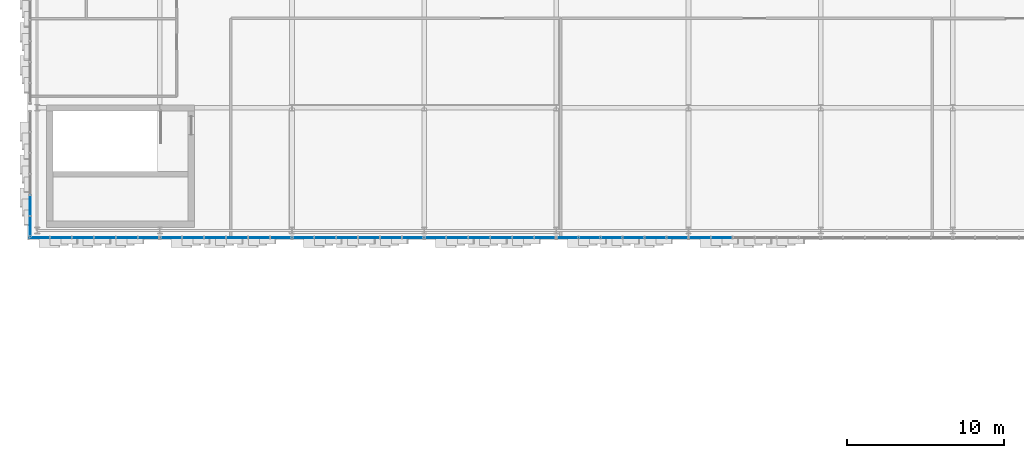
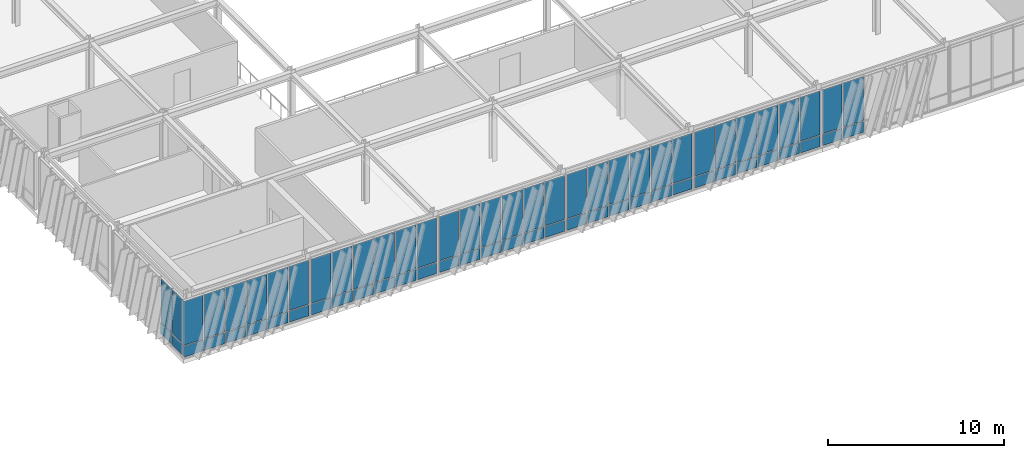
# One storey, part 86 of 123: 68 plates, 7 elements without a shape of their own.
"""IFC4 building model written with IfcOpenShell, lengths in metres."""

from ifc_helpers import new_model, si_unit, direction, frame, origin, origin_2d, place, context, subcontext, project, spatial, rectangle, extrude, material, layer, layer_set, type_object, element, aggregate, save


model = new_model("IFC4")

# Units and contexts
model_context = context("Model", 3, precision=1e-05, world=origin(), true_north=direction((0.0, 1.0)))
body_context = subcontext(model_context, "Body", "Model", "MODEL_VIEW")
ifc_project = project(units=[si_unit("LENGTHUNIT", "METRE"), si_unit("AREAUNIT", "SQUARE_METRE"), si_unit("VOLUMEUNIT", "CUBIC_METRE"), si_unit("PLANEANGLEUNIT", "RADIAN"), si_unit("MASSUNIT", "GRAM", prefix="KILO")], contexts=[model_context])

# Site, building, storey
site_placement = place(None, origin())
site = spatial("IfcSite", under=ifc_project, at=site_placement, CompositionType="ELEMENT")
building_placement = place(site_placement, origin())
building = spatial("IfcBuilding", under=site, at=building_placement, Name="Zayran Congress Hotel", CompositionType="ELEMENT")
storey_placement = place(building_placement, frame((0.0, 0.0, 15.0)))
storey = spatial("IfcBuildingStorey", under=building, at=storey_placement, Name="L03", CompositionType="ELEMENT", Elevation=15.0)

# Curtain wall, plates
ifc_material_1 = material(Name="Anodised aluminium and low-E insulated glass", Category="aluminium")
ifc_layer_1 = layer(ifc_material_1, 0.179931640625)
ifc_layer_set_1 = layer_set([ifc_layer_1], Name="Anodised aluminium and low-E insulated glass")
curtain_wall_type_1 = type_object("IfcCurtainWallType", Name="CW-V1S-L03-CW-11-8380-3980", PredefinedType="USERDEFINED", material=ifc_layer_set_1)
curtain_wall_1_placement = place(storey_placement, origin())
curtain_wall_1 = element("IfcCurtainWall", 1, at=curtain_wall_1_placement, inside=storey, type_object=curtain_wall_type_1, Name="CW-V1S-L03-0", ObjectType="CURTAIN WALL", PredefinedType="USERDEFINED")
ifc_material_2 = material(Name="Insulated warm bronze aluminium spandrel panel", Category="aluminium")
ifc_layer_2 = layer(ifc_material_2, 0.06005859375)
ifc_layer_set_2 = layer_set([ifc_layer_2], Name="Insulated warm bronze aluminium spandrel panel")
plate_type_1 = type_object("IfcPlateType", Name="CWP-SP-1277-750", PredefinedType="CURTAIN_PANEL", material=ifc_layer_set_2)
plate_1_placement = place(storey_placement, frame((9.12841796875, 67.75, 0.06005859375), z_axis=(0.0, 0.0, 1.0), x_axis=(1.0, 0.0, 0.0)))
plate_1 = element("IfcPlate", 2, at=plate_1_placement, type_object=plate_type_1, Name="CW-11 Spandrel Panel 1", PredefinedType="CURTAIN_PANEL", context=body_context, shape_type="SweptSolid", body=[
    extrude(rectangle(XDim=1.276611328125, YDim=0.06005859375, at=origin_2d()), origin(), (0.0, 0.0, 1.0), 0.75),
])
plate_2_placement = place(storey_placement, frame((10.5048828125, 67.75, 0.06005859375), z_axis=(0.0, 0.0, 1.0), x_axis=(1.0, 0.0, 0.0)))
plate_2 = element("IfcPlate", 3, at=plate_2_placement, type_object=plate_type_1, Name="CW-11 Spandrel Panel 2", PredefinedType="CURTAIN_PANEL", context=body_context, shape_type="SweptSolid", body=[
    extrude(rectangle(XDim=1.316650390625, YDim=0.06005859375, at=origin_2d()), origin(), (0.0, 0.0, 1.0), 0.75),
])
plate_3_placement = place(storey_placement, frame((11.901611328125, 67.75, 0.06005859375), z_axis=(0.0, 0.0, 1.0), x_axis=(1.0, 0.0, 0.0)))
plate_3 = element("IfcPlate", 4, at=plate_3_placement, type_object=plate_type_1, Name="CW-11 Spandrel Panel 3", PredefinedType="CURTAIN_PANEL", context=body_context, shape_type="SweptSolid", body=[
    extrude(rectangle(XDim=1.316650390625, YDim=0.06005859375, at=origin_2d()), origin(), (0.0, 0.0, 1.0), 0.75),
])
plate_4_placement = place(storey_placement, frame((13.29833984375, 67.75, 0.06005859375), z_axis=(0.0, 0.0, 1.0), x_axis=(1.0, 0.0, 0.0)))
plate_4 = element("IfcPlate", 5, at=plate_4_placement, type_object=plate_type_1, Name="CW-11 Spandrel Panel 4", PredefinedType="CURTAIN_PANEL", context=body_context, shape_type="SweptSolid", body=[
    extrude(rectangle(XDim=1.316650390625, YDim=0.06005859375, at=origin_2d()), origin(), (0.0, 0.0, 1.0), 0.75),
])
plate_5_placement = place(storey_placement, frame((14.695068359375, 67.75, 0.06005859375), z_axis=(0.0, 0.0, 1.0), x_axis=(1.0, 0.0, 0.0)))
plate_5 = element("IfcPlate", 6, at=plate_5_placement, type_object=plate_type_1, Name="CW-11 Spandrel Panel 5", PredefinedType="CURTAIN_PANEL", context=body_context, shape_type="SweptSolid", body=[
    extrude(rectangle(XDim=1.316650390625, YDim=0.06005859375, at=origin_2d()), origin(), (0.0, 0.0, 1.0), 0.75),
])
plate_6_placement = place(storey_placement, frame((16.07177734375, 67.75, 0.06005859375), z_axis=(0.0, 0.0, 1.0), x_axis=(1.0, 0.0, 0.0)))
plate_6 = element("IfcPlate", 7, at=plate_6_placement, type_object=plate_type_1, Name="CW-11 Spandrel Panel 6", PredefinedType="CURTAIN_PANEL", context=body_context, shape_type="SweptSolid", body=[
    extrude(rectangle(XDim=1.276611328125, YDim=0.06005859375, at=origin_2d()), origin(), (0.0, 0.0, 1.0), 0.75),
])

ifc_layer_3 = layer(ifc_material_1, 0.179931640625)
ifc_layer_set_3 = layer_set([ifc_layer_3], Name="Anodised aluminium and low-E insulated glass")
curtain_wall_type_2 = type_object("IfcCurtainWallType", Name="CW-V1S-L03-CW-12-8380-3980", PredefinedType="USERDEFINED", material=ifc_layer_set_3)
curtain_wall_2_placement = place(storey_placement, origin())
curtain_wall_2 = element("IfcCurtainWall", 8, at=curtain_wall_2_placement, inside=storey, type_object=curtain_wall_type_2, Name="CW-V1S-L03-1", ObjectType="CURTAIN WALL", PredefinedType="USERDEFINED")
plate_7_placement = place(storey_placement, frame((17.5283203125, 67.75, 0.06005859375), z_axis=(0.0, 0.0, 1.0), x_axis=(1.0, 0.0, 0.0)))
plate_7 = element("IfcPlate", 9, at=plate_7_placement, type_object=plate_type_1, Name="CW-12 Spandrel Panel 1", PredefinedType="CURTAIN_PANEL", context=body_context, shape_type="SweptSolid", body=[
    extrude(rectangle(XDim=1.276611328125, YDim=0.06005859375, at=origin_2d()), origin(), (0.0, 0.0, 1.0), 0.75),
])
plate_8_placement = place(storey_placement, frame((18.905029296875, 67.75, 0.06005859375), z_axis=(0.0, 0.0, 1.0), x_axis=(1.0, 0.0, 0.0)))
plate_8 = element("IfcPlate", 10, at=plate_8_placement, type_object=plate_type_1, Name="CW-12 Spandrel Panel 2", PredefinedType="CURTAIN_PANEL", context=body_context, shape_type="SweptSolid", body=[
    extrude(rectangle(XDim=1.316650390625, YDim=0.06005859375, at=origin_2d()), origin(), (0.0, 0.0, 1.0), 0.75),
])
plate_9_placement = place(storey_placement, frame((20.3017578125, 67.75, 0.06005859375), z_axis=(0.0, 0.0, 1.0), x_axis=(1.0, 0.0, 0.0)))
plate_9 = element("IfcPlate", 11, at=plate_9_placement, type_object=plate_type_1, Name="CW-12 Spandrel Panel 3", PredefinedType="CURTAIN_PANEL", context=body_context, shape_type="SweptSolid", body=[
    extrude(rectangle(XDim=1.316650390625, YDim=0.06005859375, at=origin_2d()), origin(), (0.0, 0.0, 1.0), 0.75),
])
plate_10_placement = place(storey_placement, frame((21.6982421875, 67.75, 0.06005859375), z_axis=(0.0, 0.0, 1.0), x_axis=(1.0, 0.0, 0.0)))
plate_10 = element("IfcPlate", 12, at=plate_10_placement, type_object=plate_type_1, Name="CW-12 Spandrel Panel 4", PredefinedType="CURTAIN_PANEL", context=body_context, shape_type="SweptSolid", body=[
    extrude(rectangle(XDim=1.316650390625, YDim=0.06005859375, at=origin_2d()), origin(), (0.0, 0.0, 1.0), 0.75),
])
plate_11_placement = place(storey_placement, frame((23.094970703125, 67.75, 0.06005859375), z_axis=(0.0, 0.0, 1.0), x_axis=(1.0, 0.0, 0.0)))
plate_11 = element("IfcPlate", 13, at=plate_11_placement, type_object=plate_type_1, Name="CW-12 Spandrel Panel 5", PredefinedType="CURTAIN_PANEL", context=body_context, shape_type="SweptSolid", body=[
    extrude(rectangle(XDim=1.316650390625, YDim=0.06005859375, at=origin_2d()), origin(), (0.0, 0.0, 1.0), 0.75),
])
plate_12_placement = place(storey_placement, frame((24.4716796875, 67.75, 0.06005859375), z_axis=(0.0, 0.0, 1.0), x_axis=(1.0, 0.0, 0.0)))
plate_12 = element("IfcPlate", 14, at=plate_12_placement, type_object=plate_type_1, Name="CW-12 Spandrel Panel 6", PredefinedType="CURTAIN_PANEL", context=body_context, shape_type="SweptSolid", body=[
    extrude(rectangle(XDim=1.276611328125, YDim=0.06005859375, at=origin_2d()), origin(), (0.0, 0.0, 1.0), 0.75),
])

ifc_layer_4 = layer(ifc_material_1, 0.179931640625)
ifc_layer_set_4 = layer_set([ifc_layer_4], Name="Anodised aluminium and low-E insulated glass")
curtain_wall_type_3 = type_object("IfcCurtainWallType", Name="CW-V1S-L03-CW-13-8380-3980", PredefinedType="USERDEFINED", material=ifc_layer_set_4)
curtain_wall_3_placement = place(storey_placement, origin())
curtain_wall_3 = element("IfcCurtainWall", 15, at=curtain_wall_3_placement, inside=storey, type_object=curtain_wall_type_3, Name="CW-V1S-L03-2", ObjectType="CURTAIN WALL", PredefinedType="USERDEFINED")
plate_13_placement = place(storey_placement, frame((25.92822265625, 67.75, 0.06005859375), z_axis=(0.0, 0.0, 1.0), x_axis=(1.0, 0.0, 0.0)))
plate_13 = element("IfcPlate", 16, at=plate_13_placement, type_object=plate_type_1, Name="CW-13 Spandrel Panel 1", PredefinedType="CURTAIN_PANEL", context=body_context, shape_type="SweptSolid", body=[
    extrude(rectangle(XDim=1.276611328125, YDim=0.06005859375, at=origin_2d()), origin(), (0.0, 0.0, 1.0), 0.75),
])
plate_14_placement = place(storey_placement, frame((27.304931640625, 67.75, 0.06005859375), z_axis=(0.0, 0.0, 1.0), x_axis=(1.0, 0.0, 0.0)))
plate_14 = element("IfcPlate", 17, at=plate_14_placement, type_object=plate_type_1, Name="CW-13 Spandrel Panel 2", PredefinedType="CURTAIN_PANEL", context=body_context, shape_type="SweptSolid", body=[
    extrude(rectangle(XDim=1.316650390625, YDim=0.06005859375, at=origin_2d()), origin(), (0.0, 0.0, 1.0), 0.75),
])
plate_15_placement = place(storey_placement, frame((28.70166015625, 67.75, 0.06005859375), z_axis=(0.0, 0.0, 1.0), x_axis=(1.0, 0.0, 0.0)))
plate_15 = element("IfcPlate", 18, at=plate_15_placement, type_object=plate_type_1, Name="CW-13 Spandrel Panel 3", PredefinedType="CURTAIN_PANEL", context=body_context, shape_type="SweptSolid", body=[
    extrude(rectangle(XDim=1.316650390625, YDim=0.06005859375, at=origin_2d()), origin(), (0.0, 0.0, 1.0), 0.75),
])
plate_16_placement = place(storey_placement, frame((30.098388671875, 67.75, 0.06005859375), z_axis=(0.0, 0.0, 1.0), x_axis=(1.0, 0.0, 0.0)))
plate_16 = element("IfcPlate", 19, at=plate_16_placement, type_object=plate_type_1, Name="CW-13 Spandrel Panel 4", PredefinedType="CURTAIN_PANEL", context=body_context, shape_type="SweptSolid", body=[
    extrude(rectangle(XDim=1.316650390625, YDim=0.06005859375, at=origin_2d()), origin(), (0.0, 0.0, 1.0), 0.75),
])
plate_17_placement = place(storey_placement, frame((31.4951171875, 67.75, 0.06005859375), z_axis=(0.0, 0.0, 1.0), x_axis=(1.0, 0.0, 0.0)))
plate_17 = element("IfcPlate", 20, at=plate_17_placement, type_object=plate_type_1, Name="CW-13 Spandrel Panel 5", PredefinedType="CURTAIN_PANEL", context=body_context, shape_type="SweptSolid", body=[
    extrude(rectangle(XDim=1.316650390625, YDim=0.06005859375, at=origin_2d()), origin(), (0.0, 0.0, 1.0), 0.75),
])
plate_18_placement = place(storey_placement, frame((32.87158203125, 67.75, 0.06005859375), z_axis=(0.0, 0.0, 1.0), x_axis=(1.0, 0.0, 0.0)))
plate_18 = element("IfcPlate", 21, at=plate_18_placement, type_object=plate_type_1, Name="CW-13 Spandrel Panel 6", PredefinedType="CURTAIN_PANEL", context=body_context, shape_type="SweptSolid", body=[
    extrude(rectangle(XDim=1.276611328125, YDim=0.06005859375, at=origin_2d()), origin(), (0.0, 0.0, 1.0), 0.75),
])

curtain_wall_4_placement = place(storey_placement, origin())
curtain_wall_4 = element("IfcCurtainWall", 22, at=curtain_wall_4_placement, inside=storey, type_object=curtain_wall_type_1, Name="CW-V1S-L03-3", ObjectType="CURTAIN WALL", PredefinedType="USERDEFINED")
plate_19_placement = place(storey_placement, frame((34.328369140625, 67.75, 0.06005859375), z_axis=(0.0, 0.0, 1.0), x_axis=(1.0, 0.0, 0.0)))
plate_19 = element("IfcPlate", 23, at=plate_19_placement, type_object=plate_type_1, Name="CW-11 Spandrel Panel 1", PredefinedType="CURTAIN_PANEL", context=body_context, shape_type="SweptSolid", body=[
    extrude(rectangle(XDim=1.276611328125, YDim=0.06005859375, at=origin_2d()), origin(), (0.0, 0.0, 1.0), 0.75),
])
plate_20_placement = place(storey_placement, frame((35.705078125, 67.75, 0.06005859375), z_axis=(0.0, 0.0, 1.0), x_axis=(1.0, 0.0, 0.0)))
plate_20 = element("IfcPlate", 24, at=plate_20_placement, type_object=plate_type_1, Name="CW-11 Spandrel Panel 2", PredefinedType="CURTAIN_PANEL", context=body_context, shape_type="SweptSolid", body=[
    extrude(rectangle(XDim=1.316650390625, YDim=0.06005859375, at=origin_2d()), origin(), (0.0, 0.0, 1.0), 0.75),
])
plate_21_placement = place(storey_placement, frame((37.101806640625, 67.75, 0.06005859375), z_axis=(0.0, 0.0, 1.0), x_axis=(1.0, 0.0, 0.0)))
plate_21 = element("IfcPlate", 25, at=plate_21_placement, type_object=plate_type_1, Name="CW-11 Spandrel Panel 3", PredefinedType="CURTAIN_PANEL", context=body_context, shape_type="SweptSolid", body=[
    extrude(rectangle(XDim=1.316650390625, YDim=0.06005859375, at=origin_2d()), origin(), (0.0, 0.0, 1.0), 0.75),
])
plate_22_placement = place(storey_placement, frame((38.498291015625, 67.75, 0.06005859375), z_axis=(0.0, 0.0, 1.0), x_axis=(1.0, 0.0, 0.0)))
plate_22 = element("IfcPlate", 26, at=plate_22_placement, type_object=plate_type_1, Name="CW-11 Spandrel Panel 4", PredefinedType="CURTAIN_PANEL", context=body_context, shape_type="SweptSolid", body=[
    extrude(rectangle(XDim=1.316650390625, YDim=0.06005859375, at=origin_2d()), origin(), (0.0, 0.0, 1.0), 0.75),
])
plate_23_placement = place(storey_placement, frame((39.89501953125, 67.75, 0.06005859375), z_axis=(0.0, 0.0, 1.0), x_axis=(1.0, 0.0, 0.0)))
plate_23 = element("IfcPlate", 27, at=plate_23_placement, type_object=plate_type_1, Name="CW-11 Spandrel Panel 5", PredefinedType="CURTAIN_PANEL", context=body_context, shape_type="SweptSolid", body=[
    extrude(rectangle(XDim=1.316650390625, YDim=0.06005859375, at=origin_2d()), origin(), (0.0, 0.0, 1.0), 0.75),
])
plate_24_placement = place(storey_placement, frame((41.271728515625, 67.75, 0.06005859375), z_axis=(0.0, 0.0, 1.0), x_axis=(1.0, 0.0, 0.0)))
plate_24 = element("IfcPlate", 28, at=plate_24_placement, type_object=plate_type_1, Name="CW-11 Spandrel Panel 6", PredefinedType="CURTAIN_PANEL", context=body_context, shape_type="SweptSolid", body=[
    extrude(rectangle(XDim=1.276611328125, YDim=0.06005859375, at=origin_2d()), origin(), (0.0, 0.0, 1.0), 0.75),
])

curtain_wall_5_placement = place(storey_placement, origin())
curtain_wall_5 = element("IfcCurtainWall", 29, at=curtain_wall_5_placement, inside=storey, type_object=curtain_wall_type_2, Name="CW-V1S-L03-4", ObjectType="CURTAIN WALL", PredefinedType="USERDEFINED")
plate_25_placement = place(storey_placement, frame((42.728271484375, 67.75, 0.06005859375), z_axis=(0.0, 0.0, 1.0), x_axis=(1.0, 0.0, 0.0)))
plate_25 = element("IfcPlate", 30, at=plate_25_placement, type_object=plate_type_1, Name="CW-12 Spandrel Panel 1", PredefinedType="CURTAIN_PANEL", context=body_context, shape_type="SweptSolid", body=[
    extrude(rectangle(XDim=1.276611328125, YDim=0.06005859375, at=origin_2d()), origin(), (0.0, 0.0, 1.0), 0.75),
])
plate_26_placement = place(storey_placement, frame((44.10498046875, 67.75, 0.06005859375), z_axis=(0.0, 0.0, 1.0), x_axis=(1.0, 0.0, 0.0)))
plate_26 = element("IfcPlate", 31, at=plate_26_placement, type_object=plate_type_1, Name="CW-12 Spandrel Panel 2", PredefinedType="CURTAIN_PANEL", context=body_context, shape_type="SweptSolid", body=[
    extrude(rectangle(XDim=1.316650390625, YDim=0.06005859375, at=origin_2d()), origin(), (0.0, 0.0, 1.0), 0.75),
])
plate_27_placement = place(storey_placement, frame((45.501708984375, 67.75, 0.06005859375), z_axis=(0.0, 0.0, 1.0), x_axis=(1.0, 0.0, 0.0)))
plate_27 = element("IfcPlate", 32, at=plate_27_placement, type_object=plate_type_1, Name="CW-12 Spandrel Panel 3", PredefinedType="CURTAIN_PANEL", context=body_context, shape_type="SweptSolid", body=[
    extrude(rectangle(XDim=1.316650390625, YDim=0.06005859375, at=origin_2d()), origin(), (0.0, 0.0, 1.0), 0.75),
])
plate_28_placement = place(storey_placement, frame((46.898193359375, 67.75, 0.06005859375), z_axis=(0.0, 0.0, 1.0), x_axis=(1.0, 0.0, 0.0)))
plate_28 = element("IfcPlate", 33, at=plate_28_placement, type_object=plate_type_1, Name="CW-12 Spandrel Panel 4", PredefinedType="CURTAIN_PANEL", context=body_context, shape_type="SweptSolid", body=[
    extrude(rectangle(XDim=1.316650390625, YDim=0.06005859375, at=origin_2d()), origin(), (0.0, 0.0, 1.0), 0.75),
])
plate_29_placement = place(storey_placement, frame((48.294921875, 67.75, 0.06005859375), z_axis=(0.0, 0.0, 1.0), x_axis=(1.0, 0.0, 0.0)))
plate_29 = element("IfcPlate", 34, at=plate_29_placement, type_object=plate_type_1, Name="CW-12 Spandrel Panel 5", PredefinedType="CURTAIN_PANEL", context=body_context, shape_type="SweptSolid", body=[
    extrude(rectangle(XDim=1.316650390625, YDim=0.06005859375, at=origin_2d()), origin(), (0.0, 0.0, 1.0), 0.75),
])
plate_30_placement = place(storey_placement, frame((49.671630859375, 67.75, 0.06005859375), z_axis=(0.0, 0.0, 1.0), x_axis=(1.0, 0.0, 0.0)))
plate_30 = element("IfcPlate", 35, at=plate_30_placement, type_object=plate_type_1, Name="CW-12 Spandrel Panel 6", PredefinedType="CURTAIN_PANEL", context=body_context, shape_type="SweptSolid", body=[
    extrude(rectangle(XDim=1.276611328125, YDim=0.06005859375, at=origin_2d()), origin(), (0.0, 0.0, 1.0), 0.75),
])

curtain_wall_6_placement = place(storey_placement, origin())
curtain_wall_6 = element("IfcCurtainWall", 36, at=curtain_wall_6_placement, inside=storey, type_object=curtain_wall_type_3, Name="CW-V1S-L03-5", ObjectType="CURTAIN WALL", PredefinedType="USERDEFINED")
plate_31_placement = place(storey_placement, frame((51.12841796875, 67.75, 0.06005859375), z_axis=(0.0, 0.0, 1.0), x_axis=(1.0, 0.0, 0.0)))
plate_31 = element("IfcPlate", 37, at=plate_31_placement, type_object=plate_type_1, Name="CW-13 Spandrel Panel 1", PredefinedType="CURTAIN_PANEL", context=body_context, shape_type="SweptSolid", body=[
    extrude(rectangle(XDim=1.276611328125, YDim=0.06005859375, at=origin_2d()), origin(), (0.0, 0.0, 1.0), 0.75),
])
plate_32_placement = place(storey_placement, frame((52.5048828125, 67.75, 0.06005859375), z_axis=(0.0, 0.0, 1.0), x_axis=(1.0, 0.0, 0.0)))
plate_32 = element("IfcPlate", 38, at=plate_32_placement, type_object=plate_type_1, Name="CW-13 Spandrel Panel 2", PredefinedType="CURTAIN_PANEL", context=body_context, shape_type="SweptSolid", body=[
    extrude(rectangle(XDim=1.316650390625, YDim=0.06005859375, at=origin_2d()), origin(), (0.0, 0.0, 1.0), 0.75),
])

ifc_layer_5 = layer(ifc_material_1, 0.179931640625)
ifc_layer_set_5 = layer_set([ifc_layer_5], Name="Anodised aluminium and low-E insulated glass")
curtain_wall_type_4 = type_object("IfcCurtainWallType", Name="CW-V1W-L03-CW-31-8040-3980", PredefinedType="USERDEFINED", material=ifc_layer_set_5)
curtain_wall_7_placement = place(storey_placement, origin())
curtain_wall_7 = element("IfcCurtainWall", 39, at=curtain_wall_7_placement, inside=storey, type_object=curtain_wall_type_4, Name="CW-V1W-L03-0", ObjectType="CURTAIN WALL", PredefinedType="USERDEFINED")
ifc_layer_6 = layer(ifc_material_2, 0.06005859375)
ifc_layer_set_6 = layer_set([ifc_layer_6], Name="Insulated warm bronze aluminium spandrel panel")
plate_type_2 = type_object("IfcPlateType", Name="CWP-SP-1220-750", PredefinedType="CURTAIN_PANEL", material=ifc_layer_set_6)
plate_33_placement = place(storey_placement, frame((8.550048828125, 69.7900390625, 0.06005859375), z_axis=(0.0, 0.0, 1.0), x_axis=(0.0, 1.0, 0.0)))
plate_33 = element("IfcPlate", 40, at=plate_33_placement, type_object=plate_type_2, Name="CW-31 Spandrel Panel 5", PredefinedType="CURTAIN_PANEL", context=body_context, shape_type="SweptSolid", body=[
    extrude(rectangle(XDim=1.260009765625, YDim=0.06005859375, at=origin_2d()), origin(), (0.0, 0.0, 1.0), 0.75),
])
plate_34_placement = place(storey_placement, frame((8.550048828125, 68.469970703125, 0.06005859375), z_axis=(0.0, 0.0, 1.0), x_axis=(0.0, 1.0, 0.0)))
plate_34 = element("IfcPlate", 41, at=plate_34_placement, type_object=plate_type_2, Name="CW-31 Spandrel Panel 6", PredefinedType="CURTAIN_PANEL", context=body_context, shape_type="SweptSolid", body=[
    extrude(rectangle(XDim=1.219970703125, YDim=0.06005859375, at=origin_2d()), origin(), (0.0, 0.0, 1.0), 0.75),
])

# Plate
ifc_layer_7 = layer(ifc_material_1, 0.028076171875)
ifc_layer_set_7 = layer_set([ifc_layer_7], Name="Anodised aluminium and low-E insulated glass")
plate_type_3 = type_object("IfcPlateType", Name="CWP-GL-1277-3050", PredefinedType="CURTAIN_PANEL", material=ifc_layer_set_7)
plate_35_placement = place(storey_placement, frame((9.12841796875, 67.75, 0.8701171875), z_axis=(0.0, 0.0, 1.0), x_axis=(1.0, 0.0, 0.0)))
plate_35 = element("IfcPlate", 42, at=plate_35_placement, type_object=plate_type_3, Name="CW-11 Glazed Panel 1", PredefinedType="CURTAIN_PANEL", context=body_context, shape_type="SweptSolid", body=[
    extrude(rectangle(XDim=1.276611328125, YDim=0.028076171875, at=origin_2d()), origin(), (0.0, 0.0, 1.0), 3.050048828125),
])

plate_36_placement = place(storey_placement, frame((10.5048828125, 67.75, 0.8701171875), z_axis=(0.0, 0.0, 1.0), x_axis=(1.0, 0.0, 0.0)))
plate_36 = element("IfcPlate", 43, at=plate_36_placement, type_object=plate_type_3, Name="CW-11 Glazed Panel 2", PredefinedType="CURTAIN_PANEL", context=body_context, shape_type="SweptSolid", body=[
    extrude(rectangle(XDim=1.316650390625, YDim=0.028076171875, at=origin_2d()), origin(), (0.0, 0.0, 1.0), 3.050048828125),
])

plate_37_placement = place(storey_placement, frame((11.901611328125, 67.75, 0.8701171875), z_axis=(0.0, 0.0, 1.0), x_axis=(1.0, 0.0, 0.0)))
plate_37 = element("IfcPlate", 44, at=plate_37_placement, type_object=plate_type_3, Name="CW-11 Glazed Panel 3", PredefinedType="CURTAIN_PANEL", context=body_context, shape_type="SweptSolid", body=[
    extrude(rectangle(XDim=1.316650390625, YDim=0.028076171875, at=origin_2d()), origin(), (0.0, 0.0, 1.0), 3.050048828125),
])

plate_38_placement = place(storey_placement, frame((13.29833984375, 67.75, 0.8701171875), z_axis=(0.0, 0.0, 1.0), x_axis=(1.0, 0.0, 0.0)))
plate_38 = element("IfcPlate", 45, at=plate_38_placement, type_object=plate_type_3, Name="CW-11 Glazed Panel 4", PredefinedType="CURTAIN_PANEL", context=body_context, shape_type="SweptSolid", body=[
    extrude(rectangle(XDim=1.316650390625, YDim=0.028076171875, at=origin_2d()), origin(), (0.0, 0.0, 1.0), 3.050048828125),
])

plate_39_placement = place(storey_placement, frame((14.695068359375, 67.75, 0.8701171875), z_axis=(0.0, 0.0, 1.0), x_axis=(1.0, 0.0, 0.0)))
plate_39 = element("IfcPlate", 46, at=plate_39_placement, type_object=plate_type_3, Name="CW-11 Glazed Panel 5", PredefinedType="CURTAIN_PANEL", context=body_context, shape_type="SweptSolid", body=[
    extrude(rectangle(XDim=1.316650390625, YDim=0.028076171875, at=origin_2d()), origin(), (0.0, 0.0, 1.0), 3.050048828125),
])

plate_40_placement = place(storey_placement, frame((16.07177734375, 67.75, 0.8701171875), z_axis=(0.0, 0.0, 1.0), x_axis=(1.0, 0.0, 0.0)))
plate_40 = element("IfcPlate", 47, at=plate_40_placement, type_object=plate_type_3, Name="CW-11 Glazed Panel 6", PredefinedType="CURTAIN_PANEL", context=body_context, shape_type="SweptSolid", body=[
    extrude(rectangle(XDim=1.276611328125, YDim=0.028076171875, at=origin_2d()), origin(), (0.0, 0.0, 1.0), 3.050048828125),
])

aggregate(curtain_wall_1, [plate_1, plate_35, plate_2, plate_36, plate_3, plate_37, plate_4, plate_38, plate_5, plate_39, plate_6, plate_40])

plate_41_placement = place(storey_placement, frame((17.5283203125, 67.75, 0.8701171875), z_axis=(0.0, 0.0, 1.0), x_axis=(1.0, 0.0, 0.0)))
plate_41 = element("IfcPlate", 48, at=plate_41_placement, type_object=plate_type_3, Name="CW-12 Glazed Panel 1", PredefinedType="CURTAIN_PANEL", context=body_context, shape_type="SweptSolid", body=[
    extrude(rectangle(XDim=1.276611328125, YDim=0.028076171875, at=origin_2d()), origin(), (0.0, 0.0, 1.0), 3.050048828125),
])

plate_42_placement = place(storey_placement, frame((18.905029296875, 67.75, 0.8701171875), z_axis=(0.0, 0.0, 1.0), x_axis=(1.0, 0.0, 0.0)))
plate_42 = element("IfcPlate", 49, at=plate_42_placement, type_object=plate_type_3, Name="CW-12 Glazed Panel 2", PredefinedType="CURTAIN_PANEL", context=body_context, shape_type="SweptSolid", body=[
    extrude(rectangle(XDim=1.316650390625, YDim=0.028076171875, at=origin_2d()), origin(), (0.0, 0.0, 1.0), 3.050048828125),
])

plate_43_placement = place(storey_placement, frame((20.3017578125, 67.75, 0.8701171875), z_axis=(0.0, 0.0, 1.0), x_axis=(1.0, 0.0, 0.0)))
plate_43 = element("IfcPlate", 50, at=plate_43_placement, type_object=plate_type_3, Name="CW-12 Glazed Panel 3", PredefinedType="CURTAIN_PANEL", context=body_context, shape_type="SweptSolid", body=[
    extrude(rectangle(XDim=1.316650390625, YDim=0.028076171875, at=origin_2d()), origin(), (0.0, 0.0, 1.0), 3.050048828125),
])

plate_44_placement = place(storey_placement, frame((21.6982421875, 67.75, 0.8701171875), z_axis=(0.0, 0.0, 1.0), x_axis=(1.0, 0.0, 0.0)))
plate_44 = element("IfcPlate", 51, at=plate_44_placement, type_object=plate_type_3, Name="CW-12 Glazed Panel 4", PredefinedType="CURTAIN_PANEL", context=body_context, shape_type="SweptSolid", body=[
    extrude(rectangle(XDim=1.316650390625, YDim=0.028076171875, at=origin_2d()), origin(), (0.0, 0.0, 1.0), 3.050048828125),
])

plate_45_placement = place(storey_placement, frame((23.094970703125, 67.75, 0.8701171875), z_axis=(0.0, 0.0, 1.0), x_axis=(1.0, 0.0, 0.0)))
plate_45 = element("IfcPlate", 52, at=plate_45_placement, type_object=plate_type_3, Name="CW-12 Glazed Panel 5", PredefinedType="CURTAIN_PANEL", context=body_context, shape_type="SweptSolid", body=[
    extrude(rectangle(XDim=1.316650390625, YDim=0.028076171875, at=origin_2d()), origin(), (0.0, 0.0, 1.0), 3.050048828125),
])

plate_46_placement = place(storey_placement, frame((24.4716796875, 67.75, 0.8701171875), z_axis=(0.0, 0.0, 1.0), x_axis=(1.0, 0.0, 0.0)))
plate_46 = element("IfcPlate", 53, at=plate_46_placement, type_object=plate_type_3, Name="CW-12 Glazed Panel 6", PredefinedType="CURTAIN_PANEL", context=body_context, shape_type="SweptSolid", body=[
    extrude(rectangle(XDim=1.276611328125, YDim=0.028076171875, at=origin_2d()), origin(), (0.0, 0.0, 1.0), 3.050048828125),
])

aggregate(curtain_wall_2, [plate_7, plate_41, plate_8, plate_42, plate_9, plate_43, plate_10, plate_44, plate_11, plate_45, plate_12, plate_46])

plate_47_placement = place(storey_placement, frame((25.92822265625, 67.75, 0.8701171875), z_axis=(0.0, 0.0, 1.0), x_axis=(1.0, 0.0, 0.0)))
plate_47 = element("IfcPlate", 54, at=plate_47_placement, type_object=plate_type_3, Name="CW-13 Glazed Panel 1", PredefinedType="CURTAIN_PANEL", context=body_context, shape_type="SweptSolid", body=[
    extrude(rectangle(XDim=1.276611328125, YDim=0.028076171875, at=origin_2d()), origin(), (0.0, 0.0, 1.0), 3.050048828125),
])

plate_48_placement = place(storey_placement, frame((27.304931640625, 67.75, 0.8701171875), z_axis=(0.0, 0.0, 1.0), x_axis=(1.0, 0.0, 0.0)))
plate_48 = element("IfcPlate", 55, at=plate_48_placement, type_object=plate_type_3, Name="CW-13 Glazed Panel 2", PredefinedType="CURTAIN_PANEL", context=body_context, shape_type="SweptSolid", body=[
    extrude(rectangle(XDim=1.316650390625, YDim=0.028076171875, at=origin_2d()), origin(), (0.0, 0.0, 1.0), 3.050048828125),
])

plate_49_placement = place(storey_placement, frame((28.70166015625, 67.75, 0.8701171875), z_axis=(0.0, 0.0, 1.0), x_axis=(1.0, 0.0, 0.0)))
plate_49 = element("IfcPlate", 56, at=plate_49_placement, type_object=plate_type_3, Name="CW-13 Glazed Panel 3", PredefinedType="CURTAIN_PANEL", context=body_context, shape_type="SweptSolid", body=[
    extrude(rectangle(XDim=1.316650390625, YDim=0.028076171875, at=origin_2d()), origin(), (0.0, 0.0, 1.0), 3.050048828125),
])

plate_50_placement = place(storey_placement, frame((30.098388671875, 67.75, 0.8701171875), z_axis=(0.0, 0.0, 1.0), x_axis=(1.0, 0.0, 0.0)))
plate_50 = element("IfcPlate", 57, at=plate_50_placement, type_object=plate_type_3, Name="CW-13 Glazed Panel 4", PredefinedType="CURTAIN_PANEL", context=body_context, shape_type="SweptSolid", body=[
    extrude(rectangle(XDim=1.316650390625, YDim=0.028076171875, at=origin_2d()), origin(), (0.0, 0.0, 1.0), 3.050048828125),
])

plate_51_placement = place(storey_placement, frame((31.4951171875, 67.75, 0.8701171875), z_axis=(0.0, 0.0, 1.0), x_axis=(1.0, 0.0, 0.0)))
plate_51 = element("IfcPlate", 58, at=plate_51_placement, type_object=plate_type_3, Name="CW-13 Glazed Panel 5", PredefinedType="CURTAIN_PANEL", context=body_context, shape_type="SweptSolid", body=[
    extrude(rectangle(XDim=1.316650390625, YDim=0.028076171875, at=origin_2d()), origin(), (0.0, 0.0, 1.0), 3.050048828125),
])

plate_52_placement = place(storey_placement, frame((32.87158203125, 67.75, 0.8701171875), z_axis=(0.0, 0.0, 1.0), x_axis=(1.0, 0.0, 0.0)))
plate_52 = element("IfcPlate", 59, at=plate_52_placement, type_object=plate_type_3, Name="CW-13 Glazed Panel 6", PredefinedType="CURTAIN_PANEL", context=body_context, shape_type="SweptSolid", body=[
    extrude(rectangle(XDim=1.276611328125, YDim=0.028076171875, at=origin_2d()), origin(), (0.0, 0.0, 1.0), 3.050048828125),
])

aggregate(curtain_wall_3, [plate_13, plate_47, plate_14, plate_48, plate_15, plate_49, plate_16, plate_50, plate_17, plate_51, plate_18, plate_52])

plate_53_placement = place(storey_placement, frame((34.328369140625, 67.75, 0.8701171875), z_axis=(0.0, 0.0, 1.0), x_axis=(1.0, 0.0, 0.0)))
plate_53 = element("IfcPlate", 60, at=plate_53_placement, type_object=plate_type_3, Name="CW-11 Glazed Panel 1", PredefinedType="CURTAIN_PANEL", context=body_context, shape_type="SweptSolid", body=[
    extrude(rectangle(XDim=1.276611328125, YDim=0.028076171875, at=origin_2d()), origin(), (0.0, 0.0, 1.0), 3.050048828125),
])

plate_54_placement = place(storey_placement, frame((35.705078125, 67.75, 0.8701171875), z_axis=(0.0, 0.0, 1.0), x_axis=(1.0, 0.0, 0.0)))
plate_54 = element("IfcPlate", 61, at=plate_54_placement, type_object=plate_type_3, Name="CW-11 Glazed Panel 2", PredefinedType="CURTAIN_PANEL", context=body_context, shape_type="SweptSolid", body=[
    extrude(rectangle(XDim=1.316650390625, YDim=0.028076171875, at=origin_2d()), origin(), (0.0, 0.0, 1.0), 3.050048828125),
])

plate_55_placement = place(storey_placement, frame((37.101806640625, 67.75, 0.8701171875), z_axis=(0.0, 0.0, 1.0), x_axis=(1.0, 0.0, 0.0)))
plate_55 = element("IfcPlate", 62, at=plate_55_placement, type_object=plate_type_3, Name="CW-11 Glazed Panel 3", PredefinedType="CURTAIN_PANEL", context=body_context, shape_type="SweptSolid", body=[
    extrude(rectangle(XDim=1.316650390625, YDim=0.028076171875, at=origin_2d()), origin(), (0.0, 0.0, 1.0), 3.050048828125),
])

plate_56_placement = place(storey_placement, frame((38.498291015625, 67.75, 0.8701171875), z_axis=(0.0, 0.0, 1.0), x_axis=(1.0, 0.0, 0.0)))
plate_56 = element("IfcPlate", 63, at=plate_56_placement, type_object=plate_type_3, Name="CW-11 Glazed Panel 4", PredefinedType="CURTAIN_PANEL", context=body_context, shape_type="SweptSolid", body=[
    extrude(rectangle(XDim=1.316650390625, YDim=0.028076171875, at=origin_2d()), origin(), (0.0, 0.0, 1.0), 3.050048828125),
])

plate_57_placement = place(storey_placement, frame((39.89501953125, 67.75, 0.8701171875), z_axis=(0.0, 0.0, 1.0), x_axis=(1.0, 0.0, 0.0)))
plate_57 = element("IfcPlate", 64, at=plate_57_placement, type_object=plate_type_3, Name="CW-11 Glazed Panel 5", PredefinedType="CURTAIN_PANEL", context=body_context, shape_type="SweptSolid", body=[
    extrude(rectangle(XDim=1.316650390625, YDim=0.028076171875, at=origin_2d()), origin(), (0.0, 0.0, 1.0), 3.050048828125),
])

plate_58_placement = place(storey_placement, frame((41.271728515625, 67.75, 0.8701171875), z_axis=(0.0, 0.0, 1.0), x_axis=(1.0, 0.0, 0.0)))
plate_58 = element("IfcPlate", 65, at=plate_58_placement, type_object=plate_type_3, Name="CW-11 Glazed Panel 6", PredefinedType="CURTAIN_PANEL", context=body_context, shape_type="SweptSolid", body=[
    extrude(rectangle(XDim=1.276611328125, YDim=0.028076171875, at=origin_2d()), origin(), (0.0, 0.0, 1.0), 3.050048828125),
])

aggregate(curtain_wall_4, [plate_19, plate_53, plate_20, plate_54, plate_21, plate_55, plate_22, plate_56, plate_23, plate_57, plate_24, plate_58])

plate_59_placement = place(storey_placement, frame((42.728271484375, 67.75, 0.8701171875), z_axis=(0.0, 0.0, 1.0), x_axis=(1.0, 0.0, 0.0)))
plate_59 = element("IfcPlate", 66, at=plate_59_placement, type_object=plate_type_3, Name="CW-12 Glazed Panel 1", PredefinedType="CURTAIN_PANEL", context=body_context, shape_type="SweptSolid", body=[
    extrude(rectangle(XDim=1.276611328125, YDim=0.028076171875, at=origin_2d()), origin(), (0.0, 0.0, 1.0), 3.050048828125),
])

plate_60_placement = place(storey_placement, frame((44.10498046875, 67.75, 0.8701171875), z_axis=(0.0, 0.0, 1.0), x_axis=(1.0, 0.0, 0.0)))
plate_60 = element("IfcPlate", 67, at=plate_60_placement, type_object=plate_type_3, Name="CW-12 Glazed Panel 2", PredefinedType="CURTAIN_PANEL", context=body_context, shape_type="SweptSolid", body=[
    extrude(rectangle(XDim=1.316650390625, YDim=0.028076171875, at=origin_2d()), origin(), (0.0, 0.0, 1.0), 3.050048828125),
])

plate_61_placement = place(storey_placement, frame((45.501708984375, 67.75, 0.8701171875), z_axis=(0.0, 0.0, 1.0), x_axis=(1.0, 0.0, 0.0)))
plate_61 = element("IfcPlate", 68, at=plate_61_placement, type_object=plate_type_3, Name="CW-12 Glazed Panel 3", PredefinedType="CURTAIN_PANEL", context=body_context, shape_type="SweptSolid", body=[
    extrude(rectangle(XDim=1.316650390625, YDim=0.028076171875, at=origin_2d()), origin(), (0.0, 0.0, 1.0), 3.050048828125),
])

plate_62_placement = place(storey_placement, frame((46.898193359375, 67.75, 0.8701171875), z_axis=(0.0, 0.0, 1.0), x_axis=(1.0, 0.0, 0.0)))
plate_62 = element("IfcPlate", 69, at=plate_62_placement, type_object=plate_type_3, Name="CW-12 Glazed Panel 4", PredefinedType="CURTAIN_PANEL", context=body_context, shape_type="SweptSolid", body=[
    extrude(rectangle(XDim=1.316650390625, YDim=0.028076171875, at=origin_2d()), origin(), (0.0, 0.0, 1.0), 3.050048828125),
])

plate_63_placement = place(storey_placement, frame((48.294921875, 67.75, 0.8701171875), z_axis=(0.0, 0.0, 1.0), x_axis=(1.0, 0.0, 0.0)))
plate_63 = element("IfcPlate", 70, at=plate_63_placement, type_object=plate_type_3, Name="CW-12 Glazed Panel 5", PredefinedType="CURTAIN_PANEL", context=body_context, shape_type="SweptSolid", body=[
    extrude(rectangle(XDim=1.316650390625, YDim=0.028076171875, at=origin_2d()), origin(), (0.0, 0.0, 1.0), 3.050048828125),
])

plate_64_placement = place(storey_placement, frame((49.671630859375, 67.75, 0.8701171875), z_axis=(0.0, 0.0, 1.0), x_axis=(1.0, 0.0, 0.0)))
plate_64 = element("IfcPlate", 71, at=plate_64_placement, type_object=plate_type_3, Name="CW-12 Glazed Panel 6", PredefinedType="CURTAIN_PANEL", context=body_context, shape_type="SweptSolid", body=[
    extrude(rectangle(XDim=1.276611328125, YDim=0.028076171875, at=origin_2d()), origin(), (0.0, 0.0, 1.0), 3.050048828125),
])

aggregate(curtain_wall_5, [plate_25, plate_59, plate_26, plate_60, plate_27, plate_61, plate_28, plate_62, plate_29, plate_63, plate_30, plate_64])

plate_65_placement = place(storey_placement, frame((51.12841796875, 67.75, 0.8701171875), z_axis=(0.0, 0.0, 1.0), x_axis=(1.0, 0.0, 0.0)))
plate_65 = element("IfcPlate", 72, at=plate_65_placement, type_object=plate_type_3, Name="CW-13 Glazed Panel 1", PredefinedType="CURTAIN_PANEL", context=body_context, shape_type="SweptSolid", body=[
    extrude(rectangle(XDim=1.276611328125, YDim=0.028076171875, at=origin_2d()), origin(), (0.0, 0.0, 1.0), 3.050048828125),
])

plate_66_placement = place(storey_placement, frame((52.5048828125, 67.75, 0.8701171875), z_axis=(0.0, 0.0, 1.0), x_axis=(1.0, 0.0, 0.0)))
plate_66 = element("IfcPlate", 73, at=plate_66_placement, type_object=plate_type_3, Name="CW-13 Glazed Panel 2", PredefinedType="CURTAIN_PANEL", context=body_context, shape_type="SweptSolid", body=[
    extrude(rectangle(XDim=1.316650390625, YDim=0.028076171875, at=origin_2d()), origin(), (0.0, 0.0, 1.0), 3.050048828125),
])

aggregate(curtain_wall_6, [plate_31, plate_65, plate_32, plate_66])

ifc_layer_8 = layer(ifc_material_1, 0.028076171875)
ifc_layer_set_8 = layer_set([ifc_layer_8], Name="Anodised aluminium and low-E insulated glass")
plate_type_4 = type_object("IfcPlateType", Name="CWP-GL-1220-3050", PredefinedType="CURTAIN_PANEL", material=ifc_layer_set_8)
plate_67_placement = place(storey_placement, frame((8.550048828125, 69.7900390625, 0.8701171875), z_axis=(0.0, 0.0, 1.0), x_axis=(0.0, 1.0, 0.0)))
plate_67 = element("IfcPlate", 74, at=plate_67_placement, type_object=plate_type_4, Name="CW-31 Glazed Panel 5", PredefinedType="CURTAIN_PANEL", context=body_context, shape_type="SweptSolid", body=[
    extrude(rectangle(XDim=1.260009765625, YDim=0.028076171875, at=origin_2d()), origin(), (0.0, 0.0, 1.0), 3.050048828125),
])

plate_68_placement = place(storey_placement, frame((8.550048828125, 68.469970703125, 0.8701171875), z_axis=(0.0, 0.0, 1.0), x_axis=(0.0, 1.0, 0.0)))
plate_68 = element("IfcPlate", 75, at=plate_68_placement, type_object=plate_type_4, Name="CW-31 Glazed Panel 6", PredefinedType="CURTAIN_PANEL", context=body_context, shape_type="SweptSolid", body=[
    extrude(rectangle(XDim=1.219970703125, YDim=0.028076171875, at=origin_2d()), origin(), (0.0, 0.0, 1.0), 3.050048828125),
])

aggregate(curtain_wall_7, [plate_33, plate_67, plate_34, plate_68])

save(model, "model.ifc")
